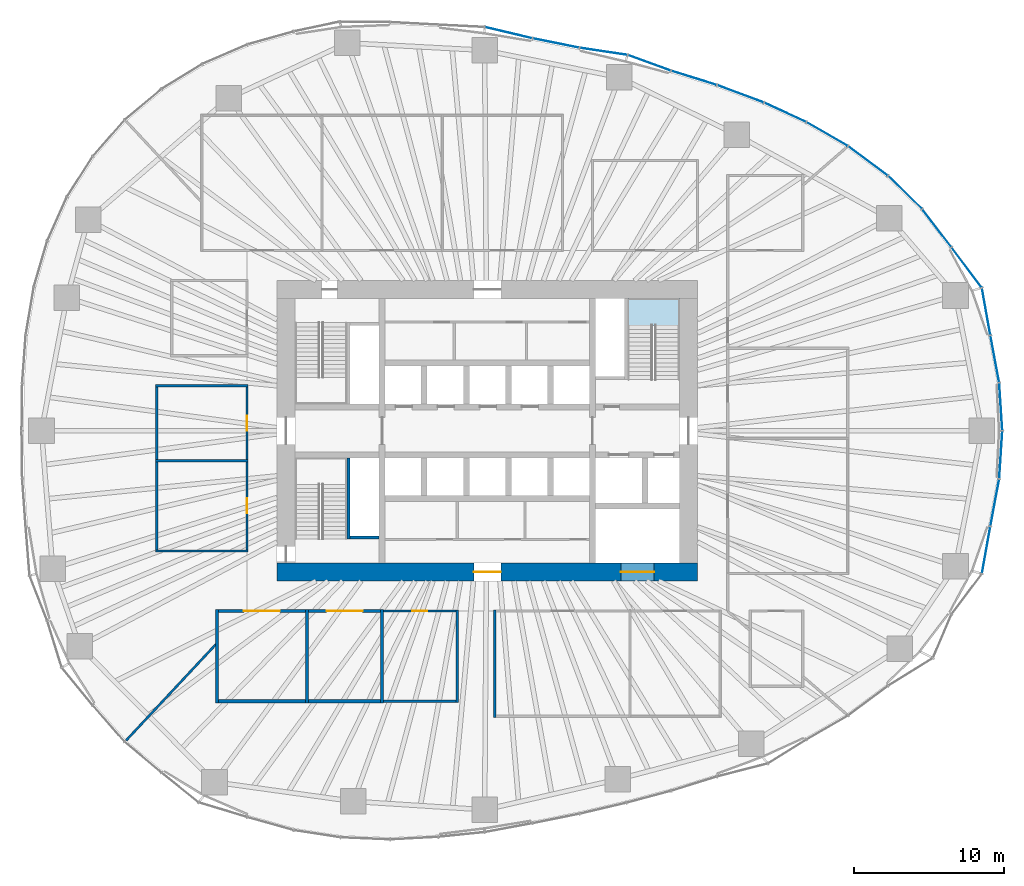
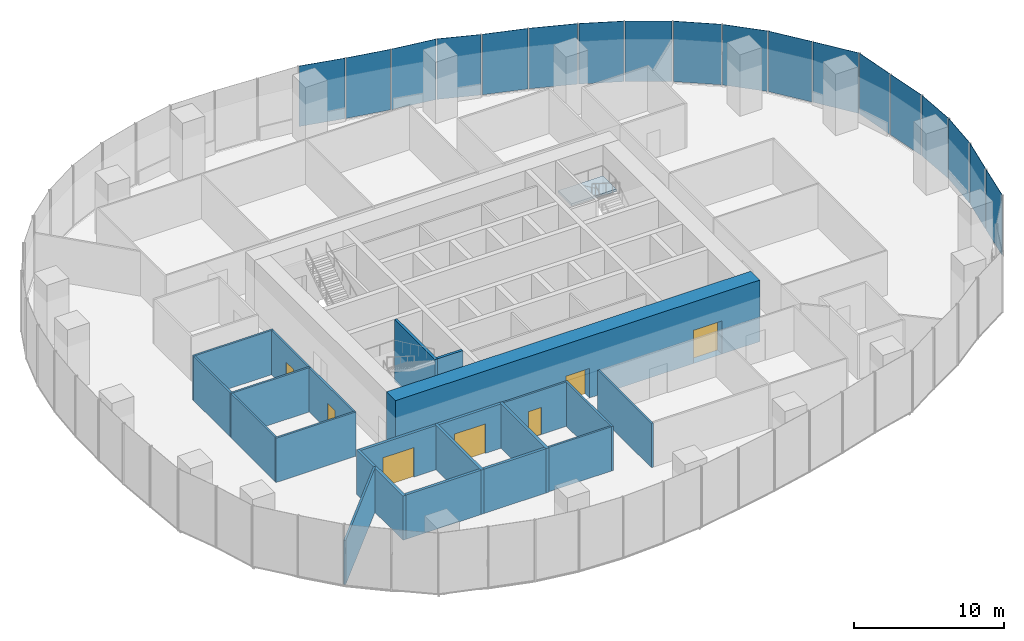
# One storey, part 9 of 20: 22 walls, 18 plates, 7 doors, 1 slab, 7 openings, 7 elements without a shape of their own.
"""IFC4 building model written with IfcOpenShell, lengths in metres."""

import ifcopenshell
import ifcopenshell.guid

model = None  # the IFC model being written
_history = None  # IfcOwnerHistory: only IFC2X3 demands one
_inside = {}  # id of a spatial element -> (the spatial element, [elements in it])
_under = {}  # id of a project, library or spatial element -> (it, [spatial elements below it])
_declared = {}  # id of a project -> (the project, [libraries it declares])
_typed = {}  # id of a type object -> (the type object, [elements of that type])
_made_of = {}  # id of a material, layer set ... -> (it, [elements and type objects made of it])


def new_model(schema):
    """Start an empty IFC model of exactly this schema.

    Asked for "IFC4X3", IfcOpenShell would pick the latest addendum, in which some entities
    have other attributes; the version numbers below select the first issue.
    IFC2X3 requires an IfcOwnerHistory on every rooted entity: one is made here for all.
    """
    global model, _history
    if schema == "IFC4X3":
        model = ifcopenshell.file(schema_version=(4, 3, 0, 0))
    else:
        model = ifcopenshell.file(schema=schema)
    _inside.clear()
    _under.clear()
    _declared.clear()
    _typed.clear()
    _made_of.clear()
    _history = None
    if model.schema == "IFC2X3":
        org = make("IfcOrganization", Name="unknown")
        user = make(
            "IfcPersonAndOrganization",
            ThePerson=make("IfcPerson", FamilyName="unknown"),
            TheOrganization=org,
        )
        app = make(
            "IfcApplication",
            ApplicationDeveloper=org,
            Version="unknown",
            ApplicationFullName="unknown",
            ApplicationIdentifier="unknown",
        )
        _history = make(
            "IfcOwnerHistory",
            OwningUser=user,
            OwningApplication=app,
            ChangeAction="ADDED",
            CreationDate=0,
        )
    return model


def make(cls, **values):
    """One entity of the class cls with the attributes given. An attribute that is None is left unset."""
    return model.create_entity(
        cls, **{name: value for name, value in values.items() if value is not None}
    )


def rooted(cls, **values):
    """An entity with a GlobalId (a new one), such as an element, a storey or a relation."""
    return make(cls, GlobalId=ifcopenshell.guid.new(), OwnerHistory=_history, **values)


def si_unit(unit_type, name, prefix=None):
    """IfcSIUnit, for example si_unit("LENGTHUNIT", "METRE", prefix="MILLI")."""
    return make("IfcSIUnit", UnitType=unit_type, Prefix=prefix, Name=name)


def assignment(units):
    """IfcUnitAssignment: the units of a project."""
    return None if units is None else make("IfcUnitAssignment", Units=units)


def point(xyz):
    """IfcCartesianPoint."""
    return None if xyz is None else make("IfcCartesianPoint", Coordinates=xyz)


def direction(xyz):
    """IfcDirection."""
    return None if xyz is None else make("IfcDirection", DirectionRatios=xyz)


def frame(location, z_axis=None, x_axis=None):
    """IfcAxis2Placement3D, a coordinate frame: its origin and axes. An axis left out is left unset."""
    return make(
        "IfcAxis2Placement3D",
        Location=point(location),
        Axis=direction(z_axis),
        RefDirection=direction(x_axis),
    )


def frame_2d(location, x_axis=None):
    """IfcAxis2Placement2D, a coordinate frame in the plane: its origin and x axis."""
    return make(
        "IfcAxis2Placement2D", Location=point(location), RefDirection=direction(x_axis)
    )


def origin():
    """The frame at (0, 0, 0) with its axes left unset."""
    return frame((0.0, 0.0, 0.0))


def origin_2d():
    """The frame at (0, 0) in the plane with its x axis left unset."""
    return frame_2d((0.0, 0.0))


def place(relative_to, where):
    """IfcLocalPlacement: puts the frame where relative to a parent placement (None: the world)."""
    return make(
        "IfcLocalPlacement", PlacementRelTo=relative_to, RelativePlacement=where
    )


def context(
    kind, dimensions, precision=None, world=None, true_north=None, identifier=None
):
    """IfcGeometricRepresentationContext, for example the 3D "Model" context."""
    return make(
        "IfcGeometricRepresentationContext",
        ContextIdentifier=identifier,
        ContextType=kind,
        CoordinateSpaceDimension=dimensions,
        Precision=precision,
        WorldCoordinateSystem=world,
        TrueNorth=true_north,
    )


def subcontext(parent, identifier, kind, view, scale=None):
    """IfcGeometricRepresentationSubContext, for example "Body" below "Model"."""
    return make(
        "IfcGeometricRepresentationSubContext",
        ContextIdentifier=identifier,
        ContextType=kind,
        ParentContext=parent,
        TargetScale=scale,
        TargetView=view,
    )


def project(units=None, contexts=None):
    """IfcProject with its units and contexts."""
    return rooted(
        "IfcProject",
        Name="project",
        RepresentationContexts=contexts,
        UnitsInContext=assignment(units),
    )


def spatial(cls, under=None, at=None, **own):
    """A site, building, storey or space (cls), placed at a placement, below another one or the project."""
    s = rooted(cls, ObjectPlacement=at, **own)
    if under is not None:
        _under.setdefault(under.id(), (under, []))[1].append(s)
    return s


def polyline(points):
    """IfcPolyline through the points."""
    return make("IfcPolyline", Points=[point(p) for p in points])


def profile(cls, at=None, kind="AREA", **sizes):
    """A parametric profile (cls). Its sizes go by their IFC names, for example OverallWidth=200.0."""
    return make(cls, ProfileType=kind, Position=at, **sizes)


def rectangle(**sizes):
    """IfcRectangleProfileDef."""
    return profile("IfcRectangleProfileDef", **sizes)


def outline(outer, holes=None, kind="AREA"):
    """IfcArbitraryClosedProfileDef: a profile drawn as a closed curve; with holes, ...WithVoids."""
    if holes is None:
        return make("IfcArbitraryClosedProfileDef", ProfileType=kind, OuterCurve=outer)
    return make(
        "IfcArbitraryProfileDefWithVoids",
        ProfileType=kind,
        OuterCurve=outer,
        InnerCurves=holes,
    )


def extrude(swept, where, along, depth):
    """IfcExtrudedAreaSolid: the profile swept, set in the frame where, extruded along a direction by depth."""
    return make(
        "IfcExtrudedAreaSolid",
        SweptArea=swept,
        Position=where,
        ExtrudedDirection=direction(along),
        Depth=depth,
    )


def shape(context_of_items, identifier, shape_type, items):
    """IfcShapeRepresentation: the items that make up one representation, for example the "Body"."""
    return make(
        "IfcShapeRepresentation",
        ContextOfItems=context_of_items,
        RepresentationIdentifier=identifier,
        RepresentationType=shape_type,
        Items=items,
    )


def material(Name=None, Category=None):
    """IfcMaterial."""
    return make("IfcMaterial", Name=Name, Category=Category)


def layer(
    of_material, thickness, ventilated=None, Name=None, Category=None, Priority=None
):
    """IfcMaterialLayer: one layer of a wall or slab, of a material (None: an air gap)."""
    return make(
        "IfcMaterialLayer",
        Material=of_material,
        LayerThickness=thickness,
        IsVentilated=ventilated,
        Name=Name,
        Category=Category,
        Priority=Priority,
    )


def layer_set(layers, Name=None):
    """IfcMaterialLayerSet."""
    return make("IfcMaterialLayerSet", MaterialLayers=layers, LayerSetName=Name)


def made_of(thing, what):
    """Note that an element or type object is made of a material, layer set ...; save() writes the relation."""
    if what is not None:
        _made_of.setdefault(what.id(), (what, []))[1].append(thing)
    return thing


def type_object(cls, material=None, **own):
    """A type object (cls), such as IfcWallType, which elements share."""
    return made_of(rooted(cls, **own), material)


def element(
    cls,
    number,
    at=None,
    inside=None,
    cuts=None,
    type_object=None,
    material=None,
    context=None,
    identifier="Body",
    shape_type=None,
    held_by="IfcProductDefinitionShape",
    body=None,
    shapes=None,
    **own,
):
    """One element of the class cls, such as IfcWall. Its Tag is "e" and its number.

    at: its placement. inside: the storey or other place that contains it. cuts: it is an
    opening in that element (IfcRelVoidsElement). A single representation is given by context,
    identifier, shape_type and body (its items); several are given by shapes. held_by: the class
    of the entity that holds the representations. save() writes the other relations.
    """
    e = rooted(cls, Tag="e%d" % number, ObjectPlacement=at, **own)
    if body is not None:
        shapes = [shape(context, identifier, shape_type, body)]
    if shapes is not None:
        e.Representation = make(held_by, Representations=shapes)
    if inside is not None:
        _inside.setdefault(inside.id(), (inside, []))[1].append(e)
    if cuts is not None:
        rooted(
            "IfcRelVoidsElement", RelatingBuildingElement=cuts, RelatedOpeningElement=e
        )
    if type_object is not None:
        _typed.setdefault(type_object.id(), (type_object, []))[1].append(e)
    return made_of(e, material)


def fill(opening, filler):
    """IfcRelFillsElement: the door or window that sits in an opening."""
    return rooted(
        "IfcRelFillsElement",
        RelatingOpeningElement=opening,
        RelatedBuildingElement=filler,
    )


def aggregate(whole, parts):
    """IfcRelAggregates: a whole, such as a stair, and the parts it consists of."""
    return rooted("IfcRelAggregates", RelatingObject=whole, RelatedObjects=parts)


def save(model, path):
    """Write the relations noted so far, then the file.

    IfcRelAggregates (storeys below a building ...), IfcRelContainedInSpatialStructure (elements
    in a storey), IfcRelDefinesByType, IfcRelAssociatesMaterial and IfcRelDeclares: one each for
    every whole, place, type object, material and project.
    """
    for whole, parts in _under.values():
        aggregate(whole, parts)
    for where, things in _inside.values():
        rooted(
            "IfcRelContainedInSpatialStructure",
            RelatedElements=things,
            RelatingStructure=where,
        )
    for kind, things in _typed.values():
        rooted("IfcRelDefinesByType", RelatedObjects=things, RelatingType=kind)
    for what, things in _made_of.values():
        rooted("IfcRelAssociatesMaterial", RelatedObjects=things, RelatingMaterial=what)
    for by, libraries in _declared.values():
        rooted("IfcRelDeclares", RelatingContext=by, RelatedDefinitions=libraries)
    model.write(path)


model = new_model("IFC4")

# Units and contexts
model_context = context("Model", 3, precision=1e-05, world=origin(), true_north=direction((0.0, 1.0)))
body_context = subcontext(model_context, "Body", "Model", "MODEL_VIEW")
ifc_project = project(units=[si_unit("LENGTHUNIT", "METRE"), si_unit("AREAUNIT", "SQUARE_METRE"), si_unit("VOLUMEUNIT", "CUBIC_METRE"), si_unit("PLANEANGLEUNIT", "RADIAN"), si_unit("MASSUNIT", "GRAM", prefix="KILO")], contexts=[model_context])

# Site, building, storey
site_placement = place(None, origin())
site = spatial("IfcSite", under=ifc_project, at=site_placement, CompositionType="ELEMENT")
building_placement = place(site_placement, origin())
building = spatial("IfcBuilding", under=site, at=building_placement, Name="Ghaith Harvest Tower", CompositionType="ELEMENT")
storey_placement = place(building_placement, frame((0.0, 0.0, 60.0)))
storey = spatial("IfcBuildingStorey", under=building, at=storey_placement, Name="L12", CompositionType="ELEMENT", Elevation=60.0)

# Curtain wall, plates
ifc_material_1 = material(Name="Black anodised aluminium and fritted glass", Category="aluminium")
curtain_wall_type = type_object("IfcCurtainWallType", Name="CW-F CURTAIN WALL", PredefinedType="NOTDEFINED", material=ifc_material_1)
curtain_wall_1_placement = place(storey_placement, origin())
curtain_wall_1 = element("IfcCurtainWall", 1, at=curtain_wall_1_placement, inside=storey, type_object=curtain_wall_type, Name="Curtain wall CW-F bay 01 L12", PredefinedType="NOTDEFINED")
ifc_material_2 = material(Name="Glass, high-transmission fritted double glazed unit", Category="glass")
ifc_layer_1 = layer(ifc_material_2, 0.028076171875)
ifc_layer_set_1 = layer_set([ifc_layer_1], Name="CW-F VISION PANEL")
plate_type = type_object("IfcPlateType", Name="CW-F VISION PANEL", PredefinedType="CURTAIN_PANEL", material=ifc_layer_set_1)
plate_1_placement = place(storey_placement, frame((34.181396484375, 1.602783203125, 0.080078125), z_axis=(0.0, 0.0, 1.0), x_axis=(-0.064445645786, 0.997921218704, 0.0)))
plate_1 = element("IfcPlate", 2, at=plate_1_placement, type_object=plate_type, Name="CW-F panel 1 bay 01 L12", PredefinedType="CURTAIN_PANEL", context=body_context, shape_type="SweptSolid", body=[
    extrude(rectangle(XDim=3.132080078125, YDim=0.028076171875, at=origin_2d()), origin(), (0.0, 0.0, 1.0), 4.919921875),
])
plate_2_placement = place(storey_placement, frame((33.78369140625, 4.78076171875, 0.080078125), z_axis=(0.0, 0.0, 1.0), x_axis=(-0.183569249502, 0.983006780565, 0.0)))
plate_2 = element("IfcPlate", 3, at=plate_2_placement, type_object=plate_type, Name="CW-F panel 2 bay 01 L12", PredefinedType="CURTAIN_PANEL", context=body_context, shape_type="SweptSolid", body=[
    extrude(rectangle(XDim=3.12548828125, YDim=0.028076171875, at=origin_2d()), origin(), (0.0, 0.0, 1.0), 4.919921875),
])
plate_3_placement = place(storey_placement, frame((33.20654296875, 7.93603515625, 0.080078125), z_axis=(0.0, 0.0, 1.0), x_axis=(-0.176319663586, 0.984332960046, 0.0)))
plate_3 = element("IfcPlate", 4, at=plate_3_placement, type_object=plate_type, Name="CW-F panel 3 bay 01 L12", PredefinedType="CURTAIN_PANEL", context=body_context, shape_type="SweptSolid", body=[
    extrude(rectangle(XDim=3.129638671875, YDim=0.028076171875, at=origin_2d()), origin(), (0.0, 0.0, 1.0), 4.919921875),
])
aggregate(curtain_wall_1, [plate_1, plate_2, plate_3])

curtain_wall_2_placement = place(storey_placement, origin())
curtain_wall_2 = element("IfcCurtainWall", 5, at=curtain_wall_2_placement, inside=storey, type_object=curtain_wall_type, Name="Curtain wall CW-F bay 02 L12", PredefinedType="NOTDEFINED")
plate_4_placement = place(storey_placement, frame((31.91015625, 10.865234375, 0.080078125), z_axis=(0.0, 0.0, 1.0), x_axis=(-0.600454091192, 0.799659230154, 0.0)))
plate_4 = element("IfcPlate", 6, at=plate_4_placement, type_object=plate_type, Name="CW-F panel 1 bay 02 L12", PredefinedType="CURTAIN_PANEL", context=body_context, shape_type="SweptSolid", body=[
    extrude(rectangle(XDim=3.295654296875, YDim=0.028076171875, at=origin_2d()), origin(), (0.0, 0.0, 1.0), 4.919921875),
])
plate_5_placement = place(storey_placement, frame((29.921875, 13.4892578125, 0.080078125), z_axis=(0.0, 0.0, 1.0), x_axis=(-0.607611877494, 0.794234100457, 0.0)))
plate_5 = element("IfcPlate", 7, at=plate_5_placement, type_object=plate_type, Name="CW-F panel 2 bay 02 L12", PredefinedType="CURTAIN_PANEL", context=body_context, shape_type="SweptSolid", body=[
    extrude(rectangle(XDim=3.128662109375, YDim=0.028076171875, at=origin_2d()), origin(), (0.0, 0.0, 1.0), 4.919921875),
])
plate_6_placement = place(storey_placement, frame((27.810546875, 15.869384765625, 0.080078125), z_axis=(0.0, 0.0, 1.0), x_axis=(-0.716691335472, 0.69739051446, 0.0)))
plate_6 = element("IfcPlate", 8, at=plate_6_placement, type_object=plate_type, Name="CW-F panel 3 bay 02 L12", PredefinedType="CURTAIN_PANEL", context=body_context, shape_type="SweptSolid", body=[
    extrude(rectangle(XDim=3.092041015625, YDim=0.028076171875, at=origin_2d()), origin(), (0.0, 0.0, 1.0), 4.919921875),
])
aggregate(curtain_wall_2, [plate_4, plate_5, plate_6])

curtain_wall_3_placement = place(storey_placement, origin())
curtain_wall_3 = element("IfcCurtainWall", 9, at=curtain_wall_3_placement, inside=storey, type_object=curtain_wall_type, Name="Curtain wall CW-F bay 03 L12", PredefinedType="NOTDEFINED")
plate_7_placement = place(storey_placement, frame((25.34619140625, 17.96142578125, 0.080078125), z_axis=(0.0, 0.0, 1.0), x_axis=(-0.802866788578, 0.596158468697, 0.0)))
plate_7 = element("IfcPlate", 10, at=plate_7_placement, type_object=plate_type, Name="CW-F panel 1 bay 03 L12", PredefinedType="CURTAIN_PANEL", context=body_context, shape_type="SweptSolid", body=[
    extrude(rectangle(XDim=3.2275390625, YDim=0.028076171875, at=origin_2d()), origin(), (0.0, 0.0, 1.0), 4.919921875),
])
plate_8_placement = place(storey_placement, frame((22.626953125, 19.750244140625, 0.080078125), z_axis=(0.0, 0.0, 1.0), x_axis=(-0.866159208358, 0.499768172033, 0.0)))
plate_8 = element("IfcPlate", 11, at=plate_8_placement, type_object=plate_type, Name="CW-F panel 2 bay 03 L12", PredefinedType="CURTAIN_PANEL", context=body_context, shape_type="SweptSolid", body=[
    extrude(rectangle(XDim=3.1328125, YDim=0.028076171875, at=origin_2d()), origin(), (0.0, 0.0, 1.0), 4.919921875),
])
plate_9_placement = place(storey_placement, frame((19.8291015625, 21.19970703125, 0.080078125), z_axis=(0.0, 0.0, 1.0), x_axis=(-0.908529586897, 0.417820523351, 0.0)))
plate_9 = element("IfcPlate", 12, at=plate_9_placement, type_object=plate_type, Name="CW-F panel 3 bay 03 L12", PredefinedType="CURTAIN_PANEL", context=body_context, shape_type="SweptSolid", body=[
    extrude(rectangle(XDim=3.01611328125, YDim=0.028076171875, at=origin_2d()), origin(), (0.0, 0.0, 1.0), 4.919921875),
])
aggregate(curtain_wall_3, [plate_7, plate_8, plate_9])

curtain_wall_4_placement = place(storey_placement, origin())
curtain_wall_4 = element("IfcCurtainWall", 13, at=curtain_wall_4_placement, inside=storey, type_object=curtain_wall_type, Name="Curtain wall CW-F bay 04 L12", PredefinedType="NOTDEFINED")
plate_10_placement = place(storey_placement, frame((16.85498046875, 22.431396484375, 0.080078125), z_axis=(0.0, 0.0, 1.0), x_axis=(-0.936926487964, 0.349526474178, 0.0)))
plate_10 = element("IfcPlate", 14, at=plate_10_placement, type_object=plate_type, Name="CW-F panel 1 bay 04 L12", PredefinedType="CURTAIN_PANEL", context=body_context, shape_type="SweptSolid", body=[
    extrude(rectangle(XDim=3.26611328125, YDim=0.028076171875, at=origin_2d()), origin(), (0.0, 0.0, 1.0), 4.919921875),
])
plate_11_placement = place(storey_placement, frame((13.760986328125, 23.490234375, 0.080078125), z_axis=(0.0, 0.0, 1.0), x_axis=(-0.954988265421, 0.296643578911, 0.0)))
plate_11 = element("IfcPlate", 15, at=plate_11_placement, type_object=plate_type, Name="CW-F panel 2 bay 04 L12", PredefinedType="CURTAIN_PANEL", context=body_context, shape_type="SweptSolid", body=[
    extrude(rectangle(XDim=3.1171875, YDim=0.028076171875, at=origin_2d()), origin(), (0.0, 0.0, 1.0), 4.919921875),
])
plate_12_placement = place(storey_placement, frame((10.793212890625, 24.490234375, 0.080078125), z_axis=(0.0, 0.0, 1.0), x_axis=(-0.939438435482, 0.342717705902, 0.0)))
plate_12 = element("IfcPlate", 16, at=plate_12_placement, type_object=plate_type, Name="CW-F panel 3 bay 04 L12", PredefinedType="CURTAIN_PANEL", context=body_context, shape_type="SweptSolid", body=[
    extrude(rectangle(XDim=2.98828125, YDim=0.028076171875, at=origin_2d()), origin(), (0.0, 0.0, 1.0), 4.919921875),
])
aggregate(curtain_wall_4, [plate_10, plate_11, plate_12])

curtain_wall_5_placement = place(storey_placement, origin())
curtain_wall_5 = element("IfcCurtainWall", 17, at=curtain_wall_5_placement, inside=storey, type_object=curtain_wall_type, Name="Curtain wall CW-F bay 05 L12", PredefinedType="NOTDEFINED")
plate_13_placement = place(storey_placement, frame((7.744384765625, 25.255615234375, 0.080078125), z_axis=(0.0, 0.0, 1.0), x_axis=(-0.989074249382, 0.147418211935, 0.0)))
plate_13 = element("IfcPlate", 18, at=plate_13_placement, type_object=plate_type, Name="CW-F panel 1 bay 05 L12", PredefinedType="CURTAIN_PANEL", context=body_context, shape_type="SweptSolid", body=[
    extrude(rectangle(XDim=3.17041015625, YDim=0.028076171875, at=origin_2d()), origin(), (0.0, 0.0, 1.0), 4.919921875),
])
plate_14_placement = place(storey_placement, frame((4.5732421875, 25.809326171875, 0.080078125), z_axis=(0.0, 0.0, 1.0), x_axis=(-0.980432348069, 0.196856320344, 0.0)))
plate_14 = element("IfcPlate", 19, at=plate_14_placement, type_object=plate_type, Name="CW-F panel 2 bay 05 L12", PredefinedType="CURTAIN_PANEL", context=body_context, shape_type="SweptSolid", body=[
    extrude(rectangle(XDim=3.1103515625, YDim=0.028076171875, at=origin_2d()), origin(), (0.0, 0.0, 1.0), 4.919921875),
])
plate_15_placement = place(storey_placement, frame((1.41259765625, 26.500244140625, 0.080078125), z_axis=(0.0, 0.0, 1.0), x_axis=(-0.97324595378, 0.229765779545, 0.0)))
plate_15 = element("IfcPlate", 20, at=plate_15_placement, type_object=plate_type, Name="CW-F panel 3 bay 05 L12", PredefinedType="CURTAIN_PANEL", context=body_context, shape_type="SweptSolid", body=[
    extrude(rectangle(XDim=3.200927734375, YDim=0.028076171875, at=origin_2d()), origin(), (0.0, 0.0, 1.0), 4.919921875),
])
aggregate(curtain_wall_5, [plate_13, plate_14, plate_15])

curtain_wall_6_placement = place(storey_placement, origin())
curtain_wall_6 = element("IfcCurtainWall", 21, at=curtain_wall_6_placement, inside=storey, type_object=curtain_wall_type, Name="Curtain wall CW-F bay 20 L12", PredefinedType="NOTDEFINED")
plate_16_placement = place(storey_placement, frame((33.20654296875, -7.93603515625, 0.080078125), z_axis=(0.0, 0.0, 1.0), x_axis=(0.176319663878, 0.984332959994, 0.0)))
plate_16 = element("IfcPlate", 22, at=plate_16_placement, type_object=plate_type, Name="CW-F panel 1 bay 20 L12", PredefinedType="CURTAIN_PANEL", context=body_context, shape_type="SweptSolid", body=[
    extrude(rectangle(XDim=3.129638671875, YDim=0.028076171875, at=origin_2d()), origin(), (0.0, 0.0, 1.0), 4.919921875),
])
plate_17_placement = place(storey_placement, frame((33.78369140625, -4.78076171875, 0.080078125), z_axis=(0.0, 0.0, 1.0), x_axis=(0.183569249777, 0.983006780514, 0.0)))
plate_17 = element("IfcPlate", 23, at=plate_17_placement, type_object=plate_type, Name="CW-F panel 2 bay 20 L12", PredefinedType="CURTAIN_PANEL", context=body_context, shape_type="SweptSolid", body=[
    extrude(rectangle(XDim=3.12548828125, YDim=0.028076171875, at=origin_2d()), origin(), (0.0, 0.0, 1.0), 4.919921875),
])
plate_18_placement = place(storey_placement, frame((34.181396484375, -1.602783203125, 0.080078125), z_axis=(0.0, 0.0, 1.0), x_axis=(0.064445645891, 0.997921218697, 0.0)))
plate_18 = element("IfcPlate", 24, at=plate_18_placement, type_object=plate_type, Name="CW-F panel 3 bay 20 L12", PredefinedType="CURTAIN_PANEL", context=body_context, shape_type="SweptSolid", body=[
    extrude(rectangle(XDim=3.132080078125, YDim=0.028076171875, at=origin_2d()), origin(), (0.0, 0.0, 1.0), 4.919921875),
])
aggregate(curtain_wall_6, [plate_16, plate_17, plate_18])

# Stair, slab
ifc_material_3 = material(Name="Concrete C40/50, precast", Category="concrete")
stair_type = type_object("IfcStairType", Name="CORE STAIR 28R", PredefinedType="HALF_TURN_STAIR", material=ifc_material_3)
stair_placement = place(storey_placement, origin())
stair = element("IfcStair", 25, at=stair_placement, inside=storey, type_object=stair_type, Name="Stair ST2 L12", PredefinedType="HALF_TURN_STAIR")
ifc_material_4 = material(Name="Concrete C40/50, precast", Category="concrete")
ifc_layer_2 = layer(ifc_material_4, 0.179931640625)
ifc_layer_set_2 = layer_set([ifc_layer_2], Name="STAIR LANDING 180")
slab_type = type_object("IfcSlabType", Name="STAIR LANDING 180", PredefinedType="LANDING", material=ifc_layer_set_2)
slab_placement = place(storey_placement, frame((0.0, 0.0, 2.320068359375)))
slab = element("IfcSlab", 26, at=slab_placement, type_object=slab_type, Name="ST2 landing 1", PredefinedType="LANDING", context=body_context, shape_type="SweptSolid", body=[
    extrude(outline(polyline([(12.800048828125, 7.02001953125), (12.800048828125, 8.800048828125), (9.35009765625, 8.800048828125), (9.35009765625, 7.02001953125), (12.800048828125, 7.02001953125)])), origin(), (0.0, 0.0, 1.0), 0.179931640625),
])
aggregate(stair, [slab])

# Walls
ifc_material_5 = material(Name="Concrete blockwork, 1-hour", Category="masonry")
ifc_layer_3 = layer(ifc_material_5, 0.215087890625)
ifc_layer_set_3 = layer_set([ifc_layer_3], Name="BLOCKWORK WALL 215")
wall_type_1 = type_object("IfcWallType", Name="BLOCKWORK WALL 215", PredefinedType="PARTITIONING", material=ifc_layer_set_3)
for number, where, z_axis, x_axis, name in (
    (27, (-18.0, -11.892578125, 0.0), (0.0, 0.0, 1.0), (0.0, -1.0, 0.0), "Partition L12 row S5 cross wall 1"),
    (28, (-12.0, -11.892578125, 0.0), (0.0, 0.0, 1.0), (0.0, -1.0, 0.0), "Partition L12 row S5 cross wall 2"),
    (29, (-7.0, -11.892578125, 0.0), (0.0, 0.0, 1.0), (0.0, -1.0, 0.0), "Partition L12 row S5 cross wall 3"),
):
    element("IfcWall", number, at=place(storey_placement, frame(where, z_axis=z_axis, x_axis=x_axis)), inside=storey, type_object=wall_type_1, Name=name, PredefinedType="PARTITIONING", context=body_context, shape_type="SweptSolid", body=[
        extrude(rectangle(XDim=6.21484375, YDim=0.215087890625, at=frame_2d((3.107421875, 0.0))), origin(), (0.0, 0.0, 1.0), 3.60009765625),
    ])

# Wall, opening, door
wall_1_placement = place(storey_placement, frame((-17.892578125, -12.0, 0.0), z_axis=(0.0, 0.0, 1.0), x_axis=(1.0, 0.0, 0.0)))
wall_1 = element("IfcWall", 30, at=wall_1_placement, inside=storey, type_object=wall_type_1, Name="Partition L12-09", PredefinedType="PARTITIONING", context=body_context, shape_type="SweptSolid", body=[
    extrude(rectangle(XDim=5.78515625, YDim=0.215087890625, at=frame_2d((2.892578125, 0.0))), origin(), (0.0, 0.0, 1.0), 3.60009765625),
])
opening_1_placement = place(wall_1_placement, frame((1.6923828125, 0.0, 0.0)))
opening_1 = element("IfcOpeningElement", 31, at=opening_1_placement, cuts=wall_1, Name="Opening 12-031", PredefinedType="OPENING", context=body_context, shape_type="SweptSolid", body=[
    extrude(rectangle(XDim=2.39990234375, YDim=2.39990234375, at=frame_2d((1.199951171875, 1.199951171875))), frame((0.0, 0.11767578125, 0.0), z_axis=(0.0, -1.0, 0.0), x_axis=(1.0, 0.0, 0.0)), (0.0, 0.0, 1.0), 0.235107421875),
])
ifc_material_6 = material(Name="Timber door", Category="wood")
door_type_1 = type_object("IfcDoorType", Name="D10 PLANT PAIR 2400x2400", OperationType="DOUBLE_DOOR_SINGLE_SWING", PredefinedType="DOOR", material=ifc_material_6)
door_1_placement = place(opening_1_placement, origin())
door_1 = element("IfcDoor", 32, at=door_1_placement, inside=storey, type_object=door_type_1, Name="Nutrient tank room door", OperationType="DOUBLE_DOOR_SINGLE_SWING", OverallHeight=2.39990234375, OverallWidth=2.39990234375, PredefinedType="DOOR", context=body_context, shape_type="SweptSolid", body=[
    extrude(rectangle(XDim=2.39990234375, YDim=2.39990234375, at=frame_2d((1.199951171875, 1.199951171875))), frame((0.0, 0.02490234375, 0.0), z_axis=(0.0, -1.0, 0.0), x_axis=(1.0, 0.0, 0.0)), (0.0, 0.0, 1.0), 0.050048828125),
])
fill(opening_1, door_1)

# Wall
wall_2_placement = place(storey_placement, frame((-17.892578125, -18.0, 0.0), z_axis=(0.0, 0.0, 1.0), x_axis=(1.0, 0.0, 0.0)))
element("IfcWall", 33, at=wall_2_placement, inside=storey, type_object=wall_type_1, Name="Partition L12-09", PredefinedType="PARTITIONING", context=body_context, shape_type="SweptSolid", body=[
    extrude(rectangle(XDim=5.78515625, YDim=0.215087890625, at=frame_2d((2.892578125, 0.0))), origin(), (0.0, 0.0, 1.0), 3.60009765625),
])

# Wall, opening, door
wall_3_placement = place(storey_placement, frame((-11.892578125, -12.0, 0.0), z_axis=(0.0, 0.0, 1.0), x_axis=(1.0, 0.0, 0.0)))
wall_3 = element("IfcWall", 34, at=wall_3_placement, inside=storey, type_object=wall_type_1, Name="Partition L12-10", PredefinedType="PARTITIONING", context=body_context, shape_type="SweptSolid", body=[
    extrude(rectangle(XDim=4.78515625, YDim=0.215087890625, at=frame_2d((2.392578125, 0.0))), origin(), (0.0, 0.0, 1.0), 3.60009765625),
])
opening_2_placement = place(wall_3_placement, frame((1.1923828125, 0.0, 0.0)))
opening_2 = element("IfcOpeningElement", 35, at=opening_2_placement, cuts=wall_3, Name="Opening 12-032", PredefinedType="OPENING", context=body_context, shape_type="SweptSolid", body=[
    extrude(rectangle(XDim=2.39990234375, YDim=2.39990234375, at=frame_2d((1.199951171875, 1.199951171875))), frame((0.0, 0.11767578125, 0.0), z_axis=(0.0, -1.0, 0.0), x_axis=(1.0, 0.0, 0.0)), (0.0, 0.0, 1.0), 0.235107421875),
])
door_2_placement = place(opening_2_placement, origin())
door_2 = element("IfcDoor", 36, at=door_2_placement, inside=storey, type_object=door_type_1, Name="Pump room door", OperationType="DOUBLE_DOOR_SINGLE_SWING", OverallHeight=2.39990234375, OverallWidth=2.39990234375, PredefinedType="DOOR", context=body_context, shape_type="SweptSolid", body=[
    extrude(rectangle(XDim=2.39990234375, YDim=2.39990234375, at=frame_2d((1.199951171875, 1.199951171875))), frame((0.0, 0.02490234375, 0.0), z_axis=(0.0, -1.0, 0.0), x_axis=(1.0, 0.0, 0.0)), (0.0, 0.0, 1.0), 0.050048828125),
])
fill(opening_2, door_2)

# Wall
wall_4_placement = place(storey_placement, frame((-11.892578125, -18.0, 0.0), z_axis=(0.0, 0.0, 1.0), x_axis=(1.0, 0.0, 0.0)))
element("IfcWall", 37, at=wall_4_placement, inside=storey, type_object=wall_type_1, Name="Partition L12-10", PredefinedType="PARTITIONING", context=body_context, shape_type="SweptSolid", body=[
    extrude(rectangle(XDim=4.78515625, YDim=0.215087890625, at=frame_2d((2.392578125, 0.0))), origin(), (0.0, 0.0, 1.0), 3.60009765625),
])

# Wall, openings, doors
ifc_material_7 = material(Name="Concrete C70/85", Category="concrete")
ifc_layer_4 = layer(ifc_material_7, 1.199951171875)
ifc_layer_set_4 = layer_set([ifc_layer_4], Name="CORE WALL CW1200")
wall_type_2 = type_object("IfcWallType", Name="CORE WALL CW1200", PredefinedType="SHEAR", material=ifc_layer_set_4)
wall_5_placement = place(storey_placement, frame((-14.0, -9.39990234375, 0.0), z_axis=(0.0, 0.0, 1.0), x_axis=(1.0, 0.0, 0.0)))
wall_5 = element("IfcWall", 38, at=wall_5_placement, inside=storey, type_object=wall_type_2, Name="Core wall S L12", PredefinedType="SHEAR", context=body_context, shape_type="SweptSolid", body=[
    extrude(rectangle(XDim=28.0, YDim=1.199951171875, at=frame_2d((14.0, 0.0))), origin(), (0.0, 0.0, 1.0), 5.0),
])
opening_3_placement = place(wall_5_placement, frame((13.10009765625, 0.0, 0.0)))
opening_3 = element("IfcOpeningElement", 39, at=opening_3_placement, cuts=wall_5, Name="Opening 12-015", PredefinedType="OPENING", context=body_context, shape_type="SweptSolid", body=[
    extrude(rectangle(XDim=1.800048828125, YDim=2.39990234375, at=frame_2d((0.89990234375, 1.199951171875))), frame((0.0, 0.60986328125, 0.0), z_axis=(0.0, -1.0, 0.0), x_axis=(1.0, 0.0, 0.0)), (0.0, 0.0, 1.0), 1.219970703125),
])
opening_4_placement = place(wall_5_placement, frame((22.89990234375, 0.0, 0.0)))
opening_4 = element("IfcOpeningElement", 40, at=opening_4_placement, cuts=wall_5, Name="Opening 12-022", PredefinedType="OPENING", context=body_context, shape_type="SweptSolid", body=[
    extrude(rectangle(XDim=2.199951171875, YDim=2.699951171875, at=frame_2d((1.10009765625, 1.35009765625))), frame((0.0, 0.60986328125, 0.0), z_axis=(0.0, -1.0, 0.0), x_axis=(1.0, 0.0, 0.0)), (0.0, 0.0, 1.0), 1.219970703125),
])
ifc_material_8 = material(Name="Steel fire door", Category="steel")
door_type_2 = type_object("IfcDoorType", Name="D4 FD90 PAIR 1800x2400", OperationType="DOUBLE_DOOR_SINGLE_SWING", PredefinedType="DOOR", material=ifc_material_8)
door_3_placement = place(opening_3_placement, origin())
door_3 = element("IfcDoor", 41, at=door_3_placement, inside=storey, type_object=door_type_2, Name="Core service corridor doors", OperationType="DOUBLE_DOOR_SINGLE_SWING", OverallHeight=2.39990234375, OverallWidth=1.800048828125, PredefinedType="DOOR", context=body_context, shape_type="SweptSolid", body=[
    extrude(rectangle(XDim=1.800048828125, YDim=2.39990234375, at=frame_2d((0.89990234375, 1.199951171875))), frame((0.0, 0.02490234375, 0.0), z_axis=(0.0, -1.0, 0.0), x_axis=(1.0, 0.0, 0.0)), (0.0, 0.0, 1.0), 0.050048828125),
])
fill(opening_3, door_3)
ifc_material_9 = material(Name="Steel fire door", Category="steel")
door_type_3 = type_object("IfcDoorType", Name="LD3 LANDING 2200x2700", OperationType="DOUBLE_DOOR_SLIDING", PredefinedType="DOOR", material=ifc_material_9)
door_4_placement = place(opening_4_placement, origin())
door_4 = element("IfcDoor", 42, at=door_4_placement, inside=storey, type_object=door_type_3, Name="Landing door, goods lift GL1", OperationType="DOUBLE_DOOR_SLIDING", OverallHeight=2.699951171875, OverallWidth=2.199951171875, PredefinedType="DOOR", context=body_context, shape_type="SweptSolid", body=[
    extrude(rectangle(XDim=2.199951171875, YDim=2.699951171875, at=frame_2d((1.10009765625, 1.35009765625))), frame((0.0, 0.02490234375, 0.0), z_axis=(0.0, -1.0, 0.0), x_axis=(1.0, 0.0, 0.0)), (0.0, 0.0, 1.0), 0.050048828125),
])
fill(opening_4, door_4)

# Walls
ifc_material_10 = material(Name="Gypsum board on steel studs", Category="steel")
ifc_layer_5 = layer(ifc_material_10, 0.14990234375)
ifc_layer_set_5 = layer_set([ifc_layer_5], Name="PARTITION 150")
wall_type_3 = type_object("IfcWallType", Name="PARTITION 150", PredefinedType="PARTITIONING", material=ifc_layer_set_5)
for number, where, z_axis, x_axis, name in (
    (43, (-15.925048828125, -8.0, 0.0), (0.0, 0.0, 1.0), (-1.0, 0.0, 0.0), "Partition L12 row W4 cross wall 1"),
    (44, (-15.925048828125, -2.0, 0.0), (0.0, 0.0, 1.0), (-1.0, 0.0, 0.0), "Partition L12 row W4 cross wall 2"),
    (45, (-15.925048828125, 3.0, 0.0), (0.0, 0.0, 1.0), (-1.0, 0.0, 0.0), "Partition L12 row W4 cross wall 3"),
):
    element("IfcWall", number, at=place(storey_placement, frame(where, z_axis=z_axis, x_axis=x_axis)), inside=storey, type_object=wall_type_3, Name=name, PredefinedType="PARTITIONING", context=body_context, shape_type="SweptSolid", body=[
        extrude(rectangle(XDim=6.14990234375, YDim=0.14990234375, at=frame_2d((3.074951171875, 0.0))), origin(), (0.0, 0.0, 1.0), 3.60009765625),
    ])

# Wall, opening, door
wall_6_placement = place(storey_placement, frame((-16.0, -7.925048828125, 0.0), z_axis=(0.0, 0.0, 1.0), x_axis=(0.0, 1.0, 0.0)))
wall_6 = element("IfcWall", 46, at=wall_6_placement, inside=storey, type_object=wall_type_3, Name="Partition L12-07", PredefinedType="PARTITIONING", context=body_context, shape_type="SweptSolid", body=[
    extrude(rectangle(XDim=5.85009765625, YDim=0.14990234375, at=frame_2d((2.925048828125, 0.0))), origin(), (0.0, 0.0, 1.0), 3.60009765625),
])
opening_5_placement = place(wall_6_placement, frame((2.425048828125, 0.0, 0.0)))
opening_5 = element("IfcOpeningElement", 47, at=opening_5_placement, cuts=wall_6, Name="Opening 12-029", PredefinedType="OPENING", context=body_context, shape_type="SweptSolid", body=[
    extrude(rectangle(XDim=1.0, YDim=2.199951171875, at=frame_2d((0.5, 1.10009765625))), frame((0.0, 0.0849609375, 0.0), z_axis=(0.0, -1.0, 0.0), x_axis=(1.0, 0.0, 0.0)), (0.0, 0.0, 1.0), 0.169921875),
])
ifc_material_11 = material(Name="Timber door", Category="wood")
door_type_4 = type_object("IfcDoorType", Name="D1 SINGLE 1000x2200", OperationType="SINGLE_SWING_LEFT", PredefinedType="DOOR", material=ifc_material_11)
door_5_placement = place(opening_5_placement, origin())
door_5 = element("IfcDoor", 48, at=door_5_placement, inside=storey, type_object=door_type_4, Name="Drying room door", OperationType="SINGLE_SWING_LEFT", OverallHeight=2.199951171875, OverallWidth=1.0, PredefinedType="DOOR", context=body_context, shape_type="SweptSolid", body=[
    extrude(rectangle(XDim=1.0, YDim=2.199951171875, at=frame_2d((0.5, 1.10009765625))), frame((0.0, 0.02490234375, 0.0), z_axis=(0.0, -1.0, 0.0), x_axis=(1.0, 0.0, 0.0)), (0.0, 0.0, 1.0), 0.050048828125),
])
fill(opening_5, door_5)

# Wall
wall_7_placement = place(storey_placement, frame((-22.0, -7.925048828125, 0.0), z_axis=(0.0, 0.0, 1.0), x_axis=(0.0, 1.0, 0.0)))
element("IfcWall", 49, at=wall_7_placement, inside=storey, type_object=wall_type_3, Name="Partition L12-07", PredefinedType="PARTITIONING", context=body_context, shape_type="SweptSolid", body=[
    extrude(rectangle(XDim=5.85009765625, YDim=0.14990234375, at=frame_2d((2.925048828125, 0.0))), origin(), (0.0, 0.0, 1.0), 3.60009765625),
])

# Wall, opening, door
wall_8_placement = place(storey_placement, frame((-16.0, -1.925048828125, 0.0), z_axis=(0.0, 0.0, 1.0), x_axis=(0.0, 1.0, 0.0)))
wall_8 = element("IfcWall", 50, at=wall_8_placement, inside=storey, type_object=wall_type_3, Name="Partition L12-08", PredefinedType="PARTITIONING", context=body_context, shape_type="SweptSolid", body=[
    extrude(rectangle(XDim=4.85009765625, YDim=0.14990234375, at=frame_2d((2.425048828125, 0.0))), origin(), (0.0, 0.0, 1.0), 3.60009765625),
])
opening_6_placement = place(wall_8_placement, frame((1.925048828125, 0.0, 0.0)))
opening_6 = element("IfcOpeningElement", 51, at=opening_6_placement, cuts=wall_8, Name="Opening 12-030", PredefinedType="OPENING", context=body_context, shape_type="SweptSolid", body=[
    extrude(rectangle(XDim=1.0, YDim=2.199951171875, at=frame_2d((0.5, 1.10009765625))), frame((0.0, 0.0849609375, 0.0), z_axis=(0.0, -1.0, 0.0), x_axis=(1.0, 0.0, 0.0)), (0.0, 0.0, 1.0), 0.169921875),
])
door_6_placement = place(opening_6_placement, origin())
door_6 = element("IfcDoor", 52, at=door_6_placement, inside=storey, type_object=door_type_4, Name="Herb store door", OperationType="SINGLE_SWING_LEFT", OverallHeight=2.199951171875, OverallWidth=1.0, PredefinedType="DOOR", context=body_context, shape_type="SweptSolid", body=[
    extrude(rectangle(XDim=1.0, YDim=2.199951171875, at=frame_2d((0.5, 1.10009765625))), frame((0.0, 0.02490234375, 0.0), z_axis=(0.0, -1.0, 0.0), x_axis=(1.0, 0.0, 0.0)), (0.0, 0.0, 1.0), 0.050048828125),
])
fill(opening_6, door_6)

# Walls
wall_9_placement = place(storey_placement, frame((-22.0, -1.925048828125, 0.0), z_axis=(0.0, 0.0, 1.0), x_axis=(0.0, 1.0, 0.0)))
element("IfcWall", 53, at=wall_9_placement, inside=storey, type_object=wall_type_3, Name="Partition L12-08", PredefinedType="PARTITIONING", context=body_context, shape_type="SweptSolid", body=[
    extrude(rectangle(XDim=4.85009765625, YDim=0.14990234375, at=frame_2d((2.425048828125, 0.0))), origin(), (0.0, 0.0, 1.0), 3.60009765625),
])
wall_10_placement = place(storey_placement, frame((-2.0, -11.925048828125, 0.0), z_axis=(0.0, 0.0, 1.0), x_axis=(0.0, -1.0, 0.0)))
element("IfcWall", 54, at=wall_10_placement, inside=storey, type_object=wall_type_3, Name="Partition L12 row S5 cross wall 4", PredefinedType="PARTITIONING", context=body_context, shape_type="SweptSolid", body=[
    extrude(rectangle(XDim=6.14990234375, YDim=0.14990234375, at=frame_2d((3.074951171875, 0.0))), origin(), (0.0, 0.0, 1.0), 3.60009765625),
])

# Wall, opening, door
wall_11_placement = place(storey_placement, frame((-6.892578125, -12.0, 0.0), z_axis=(0.0, 0.0, 1.0), x_axis=(1.0, 0.0, 0.0)))
wall_11 = element("IfcWall", 55, at=wall_11_placement, inside=storey, type_object=wall_type_3, Name="Partition L12-11", PredefinedType="PARTITIONING", context=body_context, shape_type="SweptSolid", body=[
    extrude(rectangle(XDim=4.817626953125, YDim=0.14990234375, at=frame_2d((2.40869140625, 0.0))), origin(), (0.0, 0.0, 1.0), 3.60009765625),
])
opening_7_placement = place(wall_11_placement, frame((1.90869140625, 0.0, 0.0)))
opening_7 = element("IfcOpeningElement", 56, at=opening_7_placement, cuts=wall_11, Name="Opening 12-033", PredefinedType="OPENING", context=body_context, shape_type="SweptSolid", body=[
    extrude(rectangle(XDim=1.0, YDim=2.199951171875, at=frame_2d((0.5, 1.10009765625))), frame((0.0, 0.0849609375, 0.0), z_axis=(0.0, -1.0, 0.0), x_axis=(1.0, 0.0, 0.0)), (0.0, 0.0, 1.0), 0.169921875),
])
door_7_placement = place(opening_7_placement, origin())
door_7 = element("IfcDoor", 57, at=door_7_placement, inside=storey, type_object=door_type_4, Name="Seed store door", OperationType="SINGLE_SWING_LEFT", OverallHeight=2.199951171875, OverallWidth=1.0, PredefinedType="DOOR", context=body_context, shape_type="SweptSolid", body=[
    extrude(rectangle(XDim=1.0, YDim=2.199951171875, at=frame_2d((0.5, 1.10009765625))), frame((0.0, 0.02490234375, 0.0), z_axis=(0.0, -1.0, 0.0), x_axis=(1.0, 0.0, 0.0)), (0.0, 0.0, 1.0), 0.050048828125),
])
fill(opening_7, door_7)

# Walls
wall_12_placement = place(storey_placement, frame((-6.892578125, -18.0, 0.0), z_axis=(0.0, 0.0, 1.0), x_axis=(1.0, 0.0, 0.0)))
element("IfcWall", 58, at=wall_12_placement, inside=storey, type_object=wall_type_3, Name="Partition L12-11", PredefinedType="PARTITIONING", context=body_context, shape_type="SweptSolid", body=[
    extrude(rectangle(XDim=4.817626953125, YDim=0.14990234375, at=frame_2d((2.40869140625, 0.0))), origin(), (0.0, 0.0, 1.0), 3.60009765625),
])
wall_13_placement = place(storey_placement, frame((0.5, -11.925048828125, 0.0), z_axis=(0.0, 0.0, 1.0), x_axis=(0.0, -1.0, 0.0)))
element("IfcWall", 59, at=wall_13_placement, inside=storey, type_object=wall_type_3, Name="Partition L12 row S6 cross wall 1", PredefinedType="PARTITIONING", context=body_context, shape_type="SweptSolid", body=[
    extrude(rectangle(XDim=7.14990234375, YDim=0.14990234375, at=frame_2d((3.574951171875, 0.0))), origin(), (0.0, 0.0, 1.0), 3.60009765625),
])
wall_14_placement = place(storey_placement, frame((-18.02001953125, -14.1630859375, 0.0), z_axis=(0.0, 0.0, 1.0), x_axis=(-0.682521563847, -0.730865456075, 0.0)))
element("IfcWall", 60, at=wall_14_placement, inside=storey, type_object=wall_type_3, Name="Partition L12 zone division", PredefinedType="PARTITIONING", context=body_context, shape_type="SweptSolid", body=[
    extrude(rectangle(XDim=8.8125, YDim=0.14990234375, at=frame_2d((4.40625, 0.0))), origin(), (0.0, 0.0, 1.0), 3.60009765625),
])
ifc_material_12 = material(Name="Concrete C40/50", Category="concrete")
ifc_layer_6 = layer(ifc_material_12, 0.199951171875)
ifc_layer_set_6 = layer_set([ifc_layer_6], Name="STAIR SPINE WALL RC200")
wall_type_4 = type_object("IfcWallType", Name="STAIR SPINE WALL RC200", PredefinedType="SOLIDWALL", material=ifc_layer_set_6)
wall_15_placement = place(storey_placement, frame((-9.25, -7.199951171875, 0.0), z_axis=(0.0, 0.0, 1.0), x_axis=(0.0, 1.0, 0.0)))
element("IfcWall", 61, at=wall_15_placement, inside=storey, type_object=wall_type_4, Name="Stair ST3 spine wall L12", PredefinedType="SOLIDWALL", context=body_context, shape_type="SweptSolid", body=[
    extrude(rectangle(XDim=5.39990234375, YDim=0.199951171875, at=frame_2d((2.699951171875, 0.0))), origin(), (0.0, 0.0, 1.0), 5.0),
])
wall_16_placement = place(storey_placement, frame((-9.14990234375, -7.10009765625, 0.0), z_axis=(0.0, 0.0, 1.0), x_axis=(1.0, 0.0, 0.0)))
element("IfcWall", 62, at=wall_16_placement, inside=storey, type_object=wall_type_4, Name="Stair ST3 spine wall return L12", PredefinedType="SOLIDWALL", context=body_context, shape_type="SweptSolid", body=[
    extrude(rectangle(XDim=1.949951171875, YDim=0.199951171875, at=frame_2d((0.97509765625, 0.0))), origin(), (0.0, 0.0, 1.0), 5.0),
])

save(model, "model.ifc")
